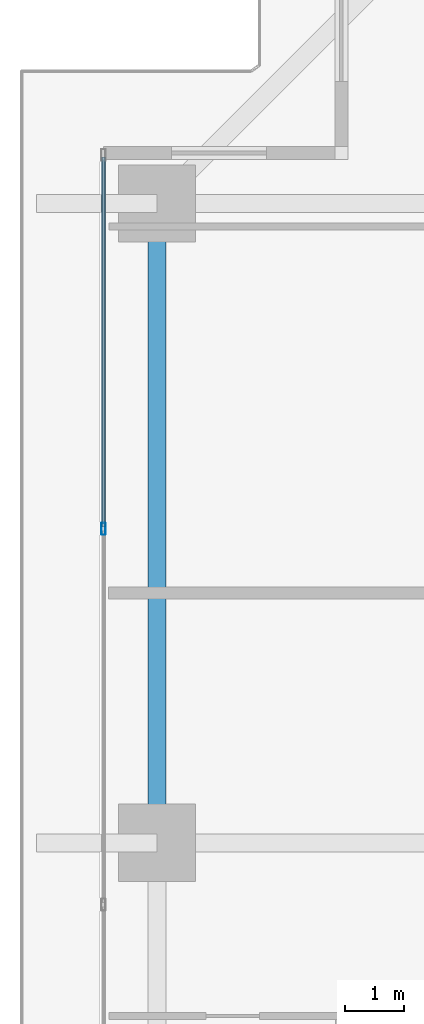
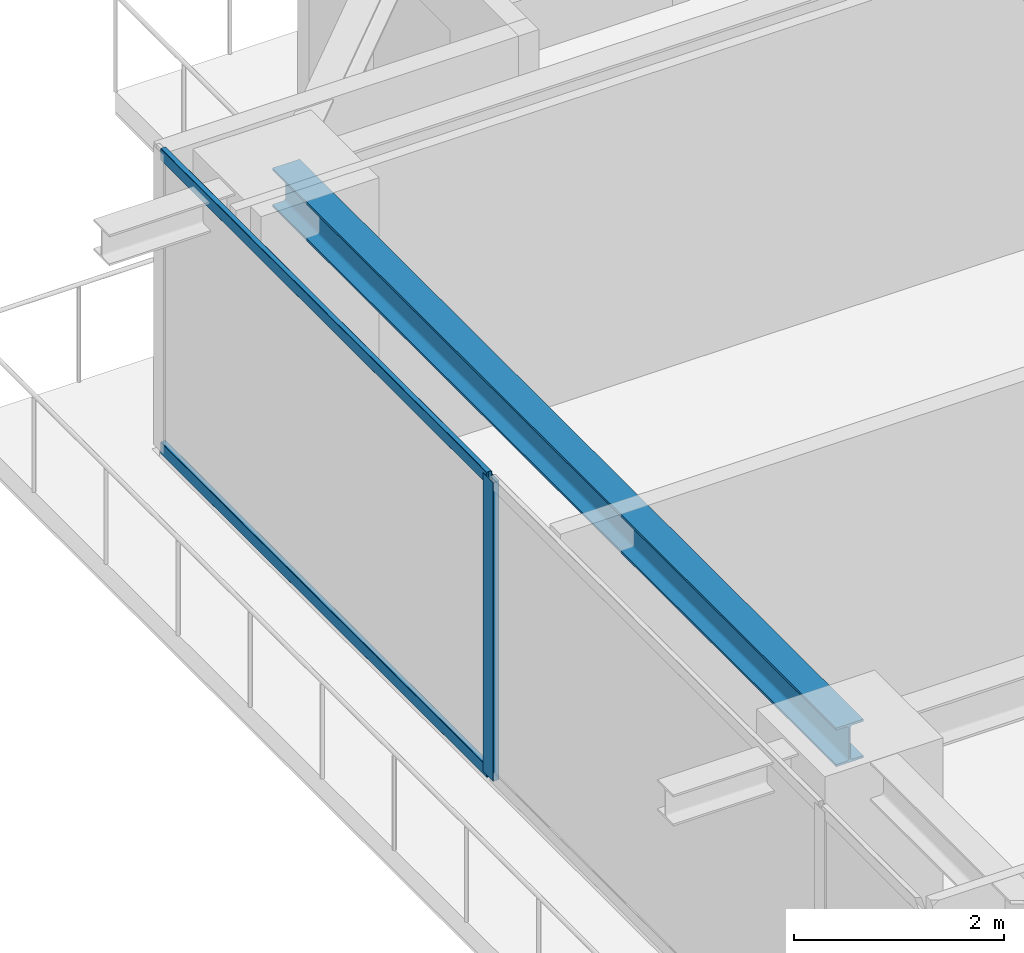
# One storey, part 16 of 36: 3 members, 1 beam, 1 element without a shape of its own.
"""IFC4 building model written with IfcOpenShell, lengths in metres."""

from ifc_helpers import new_model, si_unit, direction, frame, origin, origin_2d, place, context, subcontext, project, spatial, hollow_rectangle, i_section, extrude, source, transform, mapped, material, layer, layer_set, material_profile, profile_set, type_object, element, aggregate, save


model = new_model("IFC4")

# Units and contexts
model_context = context("Model", 3, precision=1e-05, world=origin(), true_north=direction((0.0, 1.0)))
body_context = subcontext(model_context, "Body", "Model", "MODEL_VIEW")
ifc_project = project(units=[si_unit("LENGTHUNIT", "METRE"), si_unit("AREAUNIT", "SQUARE_METRE"), si_unit("VOLUMEUNIT", "CUBIC_METRE"), si_unit("PLANEANGLEUNIT", "RADIAN"), si_unit("MASSUNIT", "GRAM", prefix="KILO")], contexts=[model_context])

# Site, building, storey
site_placement = place(None, origin())
site = spatial("IfcSite", under=ifc_project, at=site_placement, CompositionType="ELEMENT")
building_placement = place(site_placement, origin())
building = spatial("IfcBuilding", under=site, at=building_placement, Name="Serunith Strait Residences", CompositionType="ELEMENT")
storey_placement = place(building_placement, frame((0.0, 0.0, 146.39990234375)))
storey = spatial("IfcBuildingStorey", under=building, at=storey_placement, Name="L36", CompositionType="ELEMENT", Elevation=146.39990234375)

# Beam
ifc_material_1 = material(Name="Steel S355J2", Category="steel")
ifc_material_profile_1 = material_profile(ifc_material_1, i_section(OverallWidth=0.300048828125, OverallDepth=0.449951171875, WebThickness=0.013916015625, FlangeThickness=0.02587890625, FilletRadius=0.027099609375, at=origin_2d()), Name="HEB 450")
ifc_profile_set_1 = profile_set([ifc_material_profile_1], Name="Steel S355J2")
beam_type = type_object("IfcBeamType", Name="BM-HEB450", PredefinedType="BEAM", material=ifc_profile_set_1)
shared_shape_1 = source(origin(), body_context, "Body", "SweptSolid", [
    extrude(i_section(OverallWidth=0.300048828125, OverallDepth=0.449951171875, WebThickness=0.013916015625, FlangeThickness=0.02587890625, FilletRadius=0.027099609375, at=origin_2d()), origin(), (0.0, 0.0, 1.0), 10.75),
])
beam_placement = place(storey_placement, frame((8.699951171875, 40.14990234375, 3.26220703125), z_axis=(0.0, -1.0, 0.0), x_axis=(1.0, 0.0, 0.0)))
element("IfcBeam", 1, at=beam_placement, inside=storey, type_object=beam_type, Name="L36 Perimeter Ring Beam 13", PredefinedType="BEAM", context=body_context, shape_type="MappedRepresentation", body=[
    mapped(shared_shape_1, transform((0.0, 0.0, 0.0), scale=1.0)),
])

# Curtain wall, members
ifc_material_2 = material(Name="Pale-Champagne Anodised Aluminium", Category="aluminium")
ifc_layer = layer(ifc_material_2, 0.199951171875, Name="Pale-Champagne Anodised Aluminium")
ifc_layer_set = layer_set([ifc_layer], Name="Pale-Champagne Anodised Aluminium")
curtain_wall_type = type_object("IfcCurtainWallType", Name="CW-SYS2", PredefinedType="NOTDEFINED", material=ifc_layer_set)
curtain_wall_placement = place(storey_placement, origin())
curtain_wall = element("IfcCurtainWall", 2, at=curtain_wall_placement, inside=storey, type_object=curtain_wall_type, Name="L36 W Unitised Fritted Curtain Wall", PredefinedType="NOTDEFINED")
ifc_material_profile_2 = material_profile(ifc_material_2, hollow_rectangle(XDim=0.070068359375, YDim=0.199951171875, WallThickness=0.00390625, InnerFilletRadius=0.006103515625, OuterFilletRadius=0.010009765625, at=origin_2d()), Name="ALU 200x70x4")
ifc_profile_set_2 = profile_set([ifc_material_profile_2], Name="Pale-Champagne Anodised Aluminium")
member_type_1 = type_object("IfcMemberType", Name="CW-SYS2-MULL", PredefinedType="MULLION", material=ifc_profile_set_2)
shared_shape_2 = source(origin(), body_context, "Body", "SweptSolid", [
    extrude(hollow_rectangle(XDim=0.070068359375, YDim=0.199951171875, WallThickness=0.00390625, InnerFilletRadius=0.006103515625, OuterFilletRadius=0.010009765625, at=origin_2d()), origin(), (0.0, 0.0, 1.0), 3.47509765625),
])
member_1_placement = place(storey_placement, frame((7.800048828125, 34.679931640625, 0.0), z_axis=(0.0, 0.0, 1.0), x_axis=(1.0, 0.0, 0.0)))
member_1 = element("IfcMember", 3, at=member_1_placement, type_object=member_type_1, Name="CW-2 mullion 2", PredefinedType="MULLION", context=body_context, shape_type="MappedRepresentation", body=[
    mapped(shared_shape_2, transform((0.0, 0.0, 0.0), scale=1.0)),
])
ifc_material_profile_3 = material_profile(ifc_material_2, hollow_rectangle(XDim=0.06005859375, YDim=0.139892578125, WallThickness=0.00341796875, InnerFilletRadius=0.00537109375, OuterFilletRadius=0.0087890625, at=origin_2d()), Name="ALU 140x60x3.5")
ifc_profile_set_3 = profile_set([ifc_material_profile_3], Name="Pale-Champagne Anodised Aluminium")
member_type_2 = type_object("IfcMemberType", Name="CW-SYS2-TRAN", PredefinedType="USERDEFINED", material=ifc_profile_set_3)
shared_shape_3 = source(origin(), body_context, "Body", "SweptSolid", [
    extrude(hollow_rectangle(XDim=0.06005859375, YDim=0.139892578125, WallThickness=0.00341796875, InnerFilletRadius=0.00537109375, OuterFilletRadius=0.0087890625, at=origin_2d()), origin(), (0.0, 0.0, 1.0), 6.21484375),
])
member_2_placement = place(storey_placement, frame((7.800048828125, 40.929931640625, 0.030029296875), z_axis=(0.0, -1.0, 0.0), x_axis=(1.0, 0.0, 0.0)))
member_2 = element("IfcMember", 4, at=member_2_placement, type_object=member_type_2, Name="CW-2 transom 1.1", ObjectType="TRANSOM", PredefinedType="USERDEFINED", context=body_context, shape_type="MappedRepresentation", body=[
    mapped(shared_shape_3, transform((0.0, 0.0, 0.0), scale=1.0)),
])
member_3_placement = place(storey_placement, frame((7.800048828125, 40.929931640625, 3.445068359375), z_axis=(0.0, -1.0, 0.0), x_axis=(1.0, 0.0, 0.0)))
member_3 = element("IfcMember", 5, at=member_3_placement, type_object=member_type_2, Name="CW-2 transom 1.2", ObjectType="TRANSOM", PredefinedType="USERDEFINED", context=body_context, shape_type="MappedRepresentation", body=[
    mapped(shared_shape_3, transform((0.0, 0.0, 0.0), scale=1.0)),
])
aggregate(curtain_wall, [member_1, member_2, member_3])

save(model, "model.ifc")
